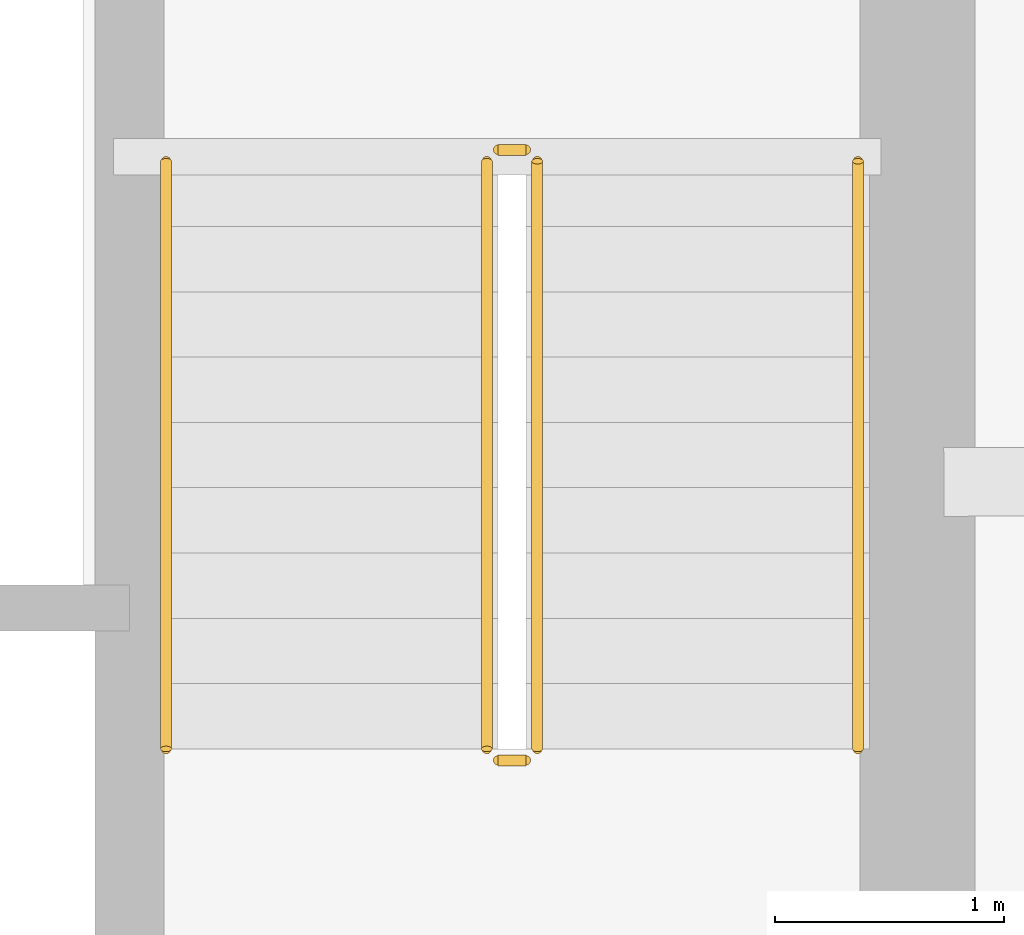
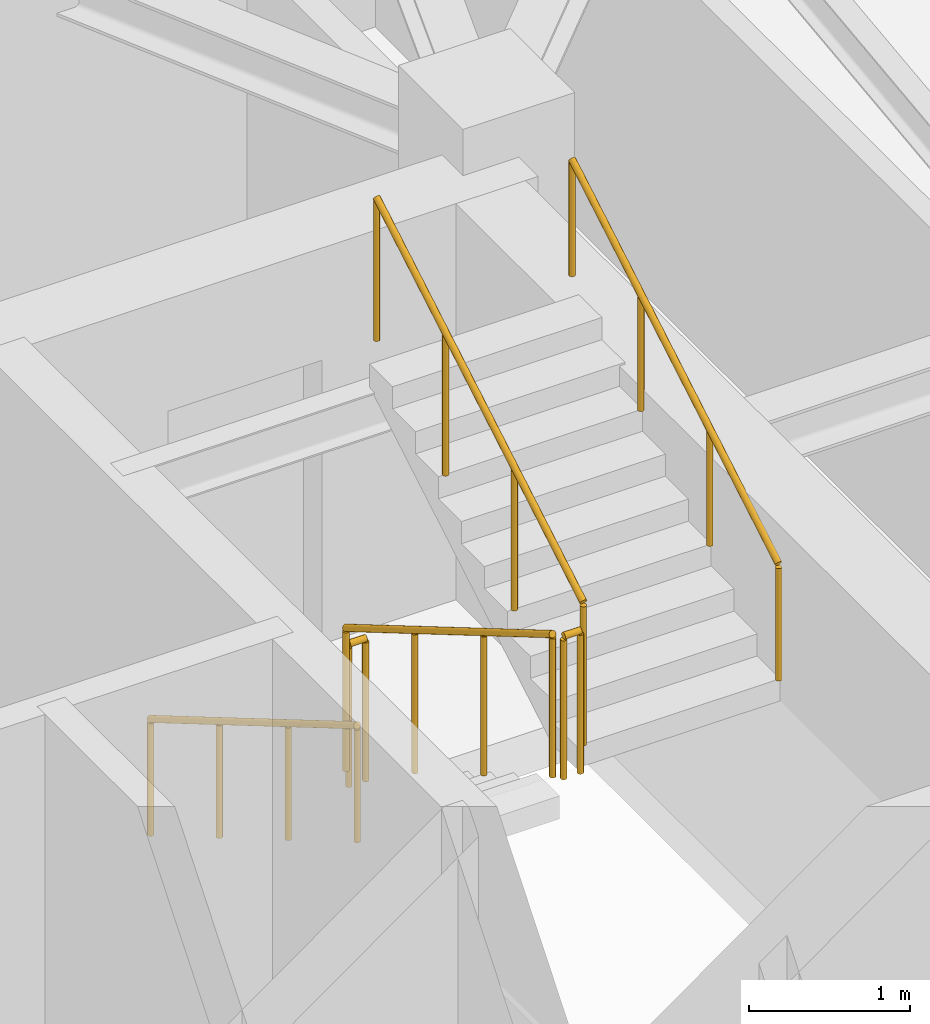
# One storey, part 11 of 11: 6 railings.
"""IFC4 building model written with IfcOpenShell, lengths in metres."""

from ifc_helpers import new_model, si_unit, direction, frame, origin, origin_2d, place, context, subcontext, project, spatial, circle, extrude, material, type_object, element, save


model = new_model("IFC4")

# Units and contexts
model_context = context("Model", 3, precision=1e-05, world=origin(), true_north=direction((0.0, 1.0)))
body_context = subcontext(model_context, "Body", "Model", "MODEL_VIEW")
ifc_project = project(units=[si_unit("LENGTHUNIT", "METRE"), si_unit("AREAUNIT", "SQUARE_METRE"), si_unit("VOLUMEUNIT", "CUBIC_METRE"), si_unit("PLANEANGLEUNIT", "RADIAN"), si_unit("MASSUNIT", "GRAM", prefix="KILO")], contexts=[model_context])

# Site, building, storey
site_placement = place(None, origin())
site = spatial("IfcSite", under=ifc_project, at=site_placement, CompositionType="ELEMENT")
building_placement = place(site_placement, origin())
building = spatial("IfcBuilding", under=site, at=building_placement, Name="Qobustan Lattice House", CompositionType="ELEMENT")
storey_placement = place(building_placement, frame((0.0, 0.0, 219.85009765625)))
storey = spatial("IfcBuildingStorey", under=building, at=storey_placement, Name="L62", CompositionType="ELEMENT", Elevation=219.85009765625)

# Railings
ifc_material_1 = material(Name="Brushed stainless steel handrail", Category="steel")
railing_type_1 = type_object("IfcRailingType", Name="RAL-HR-920", PredefinedType="HANDRAIL", material=ifc_material_1)
railing_1_placement = place(storey_placement, frame((15.179931640625, 3.5, 0.16748046875)))
element("IfcRailing", 1, at=railing_1_placement, inside=storey, type_object=railing_type_1, Name="L62 ST-E1 stair handrail 1", PredefinedType="HANDRAIL", context=body_context, shape_type="SweptSolid", body=[
    extrude(circle(Radius=0.02392578125, at=origin_2d()), frame((0.0, 0.0, 0.8759765625), z_axis=(0.0, -0.862149314443, 0.506654280161), x_axis=(1.0, 0.0, 0.0)), (0.0, 0.0, 1.0), 2.97509765625),
    extrude(circle(Radius=0.02099609375, at=origin_2d()), origin(), (0.0, 0.0, 1.0), 0.851806640625),
    extrude(circle(Radius=0.02099609375, at=origin_2d()), frame((0.0, -0.85498046875, 0.50244140625)), (0.0, 0.0, 1.0), 0.851806640625),
    extrude(circle(Radius=0.02099609375, at=origin_2d()), frame((0.0, -1.7099609375, 1.0048828125)), (0.0, 0.0, 1.0), 0.851806640625),
    extrude(circle(Radius=0.02099609375, at=origin_2d()), frame((0.0, -2.56494140625, 1.50732421875)), (0.0, 0.0, 1.0), 0.851806640625),
])
railing_2_placement = place(storey_placement, frame((18.199951171875, 0.93505859375, 1.84228515625)))
element("IfcRailing", 2, at=railing_2_placement, inside=storey, type_object=railing_type_1, Name="L62 ST-E1 stair handrail 2", PredefinedType="HANDRAIL", context=body_context, shape_type="SweptSolid", body=[
    extrude(circle(Radius=0.02392578125, at=origin_2d()), frame((0.0, 0.0, 0.8759765625), z_axis=(0.0, 0.862113467892, 0.50671527358), x_axis=(-1.0, 0.0, 0.0)), (0.0, 0.0, 1.0), 2.97509765625),
    extrude(circle(Radius=0.02099609375, at=origin_2d()), origin(), (0.0, 0.0, 1.0), 0.851806640625),
    extrude(circle(Radius=0.02099609375, at=origin_2d()), frame((0.0, 0.85498046875, 0.50244140625)), (0.0, 0.0, 1.0), 0.851806640625),
    extrude(circle(Radius=0.02099609375, at=origin_2d()), frame((0.0, 1.7099609375, 1.005126953125)), (0.0, 0.0, 1.0), 0.851806640625),
    extrude(circle(Radius=0.02099609375, at=origin_2d()), frame((0.0, 2.56494140625, 1.507568359375)), (0.0, 0.0, 1.0), 0.851806640625),
])
ifc_material_2 = material(Name="Painted galvanized steel guardrail", Category="steel")
railing_type_2 = type_object("IfcRailingType", Name="RAL-STG-1150", PredefinedType="GUARDRAIL", material=ifc_material_2)
railing_3_placement = place(storey_placement, frame((16.580078125, 3.5, 0.16748046875)))
element("IfcRailing", 3, at=railing_3_placement, inside=storey, type_object=railing_type_2, Name="L62 ST-E1 stair guard 1", PredefinedType="GUARDRAIL", context=body_context, shape_type="SweptSolid", body=[
    extrude(circle(Radius=0.02392578125, at=origin_2d()), frame((0.0, 0.0, 1.076171875), z_axis=(0.0, -0.862149314443, 0.506654280161), x_axis=(1.0, 0.0, 0.0)), (0.0, 0.0, 1.0), 2.97509765625),
    extrude(circle(Radius=0.02099609375, at=origin_2d()), origin(), (0.0, 0.0, 1.0), 1.052001953125),
    extrude(circle(Radius=0.02099609375, at=origin_2d()), frame((0.0, -0.85498046875, 0.50244140625)), (0.0, 0.0, 1.0), 1.052001953125),
    extrude(circle(Radius=0.02099609375, at=origin_2d()), frame((0.0, -1.7099609375, 1.0048828125)), (0.0, 0.0, 1.0), 1.052001953125),
    extrude(circle(Radius=0.02099609375, at=origin_2d()), frame((0.0, -2.56494140625, 1.50732421875)), (0.0, 0.0, 1.0), 1.052001953125),
])
railing_4_placement = place(storey_placement, frame((16.6298828125, 0.885009765625, 1.6748046875)))
element("IfcRailing", 4, at=railing_4_placement, inside=storey, type_object=railing_type_2, Name="L62 ST-E1 stair guard 2", PredefinedType="GUARDRAIL", context=body_context, shape_type="SweptSolid", body=[
    extrude(circle(Radius=0.02392578125, at=origin_2d()), frame((0.0, 0.0, 1.076171875), z_axis=(1.0, 0.0, 0.0), x_axis=(0.0, 1.0, 0.0)), (0.0, 0.0, 1.0), 0.1201171875),
    extrude(circle(Radius=0.02099609375, at=origin_2d()), origin(), (0.0, 0.0, 1.0), 1.052001953125),
    extrude(circle(Radius=0.02099609375, at=origin_2d()), frame((0.1201171875, 0.0, 0.0)), (0.0, 0.0, 1.0), 1.052001953125),
])
railing_5_placement = place(storey_placement, frame((16.800048828125, 0.93505859375, 1.84228515625)))
element("IfcRailing", 5, at=railing_5_placement, inside=storey, type_object=railing_type_2, Name="L62 ST-E1 stair guard 3", PredefinedType="GUARDRAIL", context=body_context, shape_type="SweptSolid", body=[
    extrude(circle(Radius=0.02392578125, at=origin_2d()), frame((0.0, 0.0, 1.076171875), z_axis=(0.0, 0.862113467892, 0.50671527358), x_axis=(-1.0, 0.0, 0.0)), (0.0, 0.0, 1.0), 2.97509765625),
    extrude(circle(Radius=0.02099609375, at=origin_2d()), origin(), (0.0, 0.0, 1.0), 1.052001953125),
    extrude(circle(Radius=0.02099609375, at=origin_2d()), frame((0.0, 0.85498046875, 0.50244140625)), (0.0, 0.0, 1.0), 1.052001953125),
    extrude(circle(Radius=0.02099609375, at=origin_2d()), frame((0.0, 1.7099609375, 1.005126953125)), (0.0, 0.0, 1.0), 1.052001953125),
    extrude(circle(Radius=0.02099609375, at=origin_2d()), frame((0.0, 2.56494140625, 1.507568359375)), (0.0, 0.0, 1.0), 1.052001953125),
])
railing_6_placement = place(storey_placement, frame((16.6298828125, 3.550048828125, 0.0)))
element("IfcRailing", 6, at=railing_6_placement, inside=storey, type_object=railing_type_2, Name="L62 ST-E1 stair guard 4", PredefinedType="GUARDRAIL", context=body_context, shape_type="SweptSolid", body=[
    extrude(circle(Radius=0.02392578125, at=origin_2d()), frame((0.0, 0.0, 1.076171875), z_axis=(1.0, 0.0, 0.0), x_axis=(0.0, 1.0, 0.0)), (0.0, 0.0, 1.0), 0.1201171875),
    extrude(circle(Radius=0.02099609375, at=origin_2d()), origin(), (0.0, 0.0, 1.0), 1.052001953125),
    extrude(circle(Radius=0.02099609375, at=origin_2d()), frame((0.1201171875, 0.0, 0.0)), (0.0, 0.0, 1.0), 1.052001953125),
])

save(model, "model.ifc")
